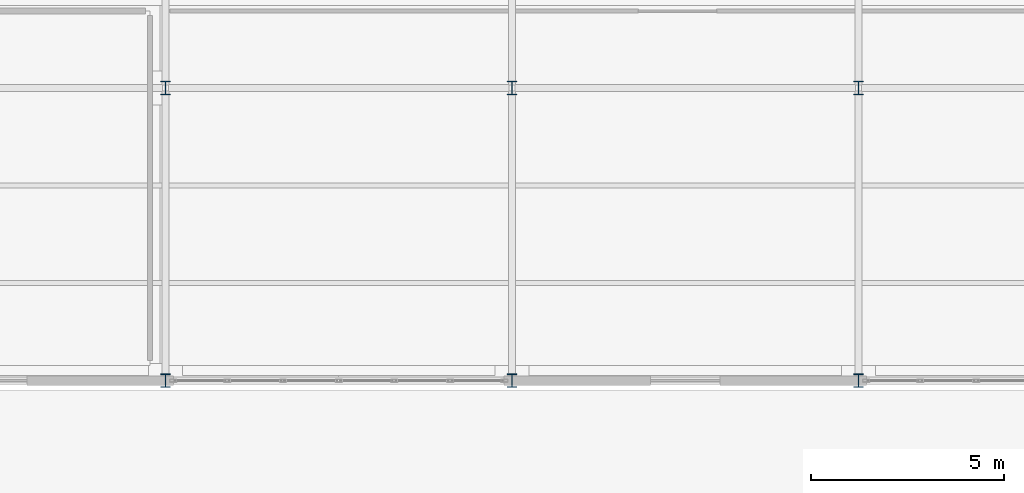
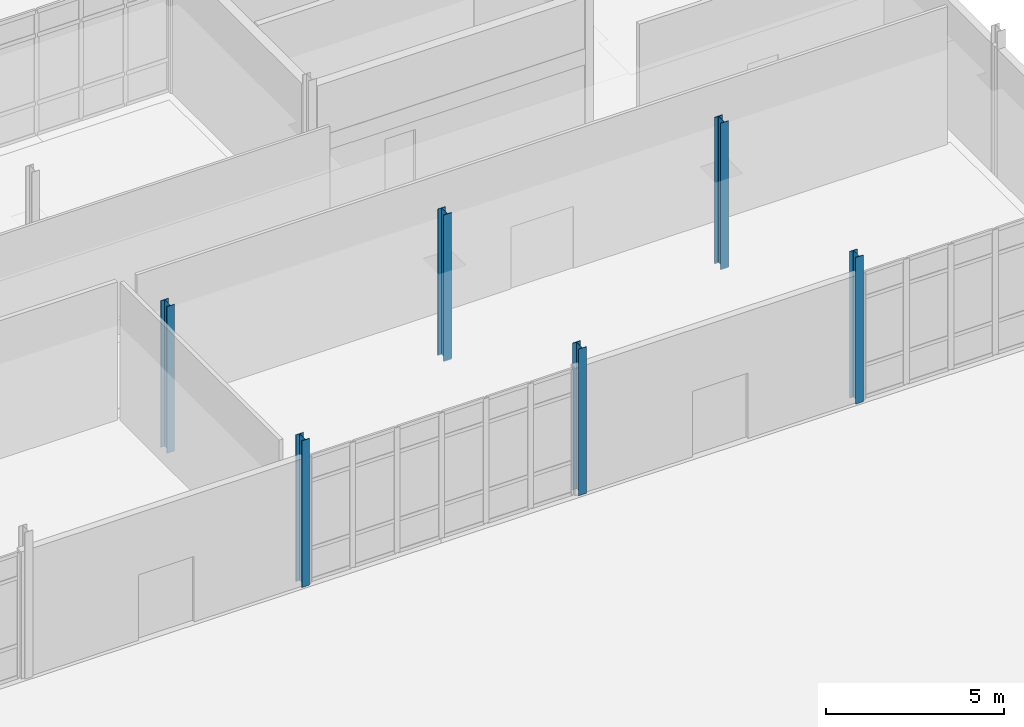
# One storey, part 20 of 161: 6 columns.
"""IFC4 building model written with IfcOpenShell, lengths in metres."""

import ifcopenshell
import ifcopenshell.guid

model = None  # the IFC model being written
_history = None  # IfcOwnerHistory: only IFC2X3 demands one
_inside = {}  # id of a spatial element -> (the spatial element, [elements in it])
_under = {}  # id of a project, library or spatial element -> (it, [spatial elements below it])
_declared = {}  # id of a project -> (the project, [libraries it declares])
_typed = {}  # id of a type object -> (the type object, [elements of that type])
_made_of = {}  # id of a material, layer set ... -> (it, [elements and type objects made of it])


def new_model(schema):
    """Start an empty IFC model of exactly this schema.

    Asked for "IFC4X3", IfcOpenShell would pick the latest addendum, in which some entities
    have other attributes; the version numbers below select the first issue.
    IFC2X3 requires an IfcOwnerHistory on every rooted entity: one is made here for all.
    """
    global model, _history
    if schema == "IFC4X3":
        model = ifcopenshell.file(schema_version=(4, 3, 0, 0))
    else:
        model = ifcopenshell.file(schema=schema)
    _inside.clear()
    _under.clear()
    _declared.clear()
    _typed.clear()
    _made_of.clear()
    _history = None
    if model.schema == "IFC2X3":
        org = make("IfcOrganization", Name="unknown")
        user = make(
            "IfcPersonAndOrganization",
            ThePerson=make("IfcPerson", FamilyName="unknown"),
            TheOrganization=org,
        )
        app = make(
            "IfcApplication",
            ApplicationDeveloper=org,
            Version="unknown",
            ApplicationFullName="unknown",
            ApplicationIdentifier="unknown",
        )
        _history = make(
            "IfcOwnerHistory",
            OwningUser=user,
            OwningApplication=app,
            ChangeAction="ADDED",
            CreationDate=0,
        )
    return model


def make(cls, **values):
    """One entity of the class cls with the attributes given. An attribute that is None is left unset."""
    return model.create_entity(
        cls, **{name: value for name, value in values.items() if value is not None}
    )


def rooted(cls, **values):
    """An entity with a GlobalId (a new one), such as an element, a storey or a relation."""
    return make(cls, GlobalId=ifcopenshell.guid.new(), OwnerHistory=_history, **values)


def si_unit(unit_type, name, prefix=None):
    """IfcSIUnit, for example si_unit("LENGTHUNIT", "METRE", prefix="MILLI")."""
    return make("IfcSIUnit", UnitType=unit_type, Prefix=prefix, Name=name)


def assignment(units):
    """IfcUnitAssignment: the units of a project."""
    return None if units is None else make("IfcUnitAssignment", Units=units)


def point(xyz):
    """IfcCartesianPoint."""
    return None if xyz is None else make("IfcCartesianPoint", Coordinates=xyz)


def direction(xyz):
    """IfcDirection."""
    return None if xyz is None else make("IfcDirection", DirectionRatios=xyz)


def frame(location, z_axis=None, x_axis=None):
    """IfcAxis2Placement3D, a coordinate frame: its origin and axes. An axis left out is left unset."""
    return make(
        "IfcAxis2Placement3D",
        Location=point(location),
        Axis=direction(z_axis),
        RefDirection=direction(x_axis),
    )


def frame_2d(location, x_axis=None):
    """IfcAxis2Placement2D, a coordinate frame in the plane: its origin and x axis."""
    return make(
        "IfcAxis2Placement2D", Location=point(location), RefDirection=direction(x_axis)
    )


def origin():
    """The frame at (0, 0, 0) with its axes left unset."""
    return frame((0.0, 0.0, 0.0))


def origin_2d():
    """The frame at (0, 0) in the plane with its x axis left unset."""
    return frame_2d((0.0, 0.0))


def place(relative_to, where):
    """IfcLocalPlacement: puts the frame where relative to a parent placement (None: the world)."""
    return make(
        "IfcLocalPlacement", PlacementRelTo=relative_to, RelativePlacement=where
    )


def context(
    kind, dimensions, precision=None, world=None, true_north=None, identifier=None
):
    """IfcGeometricRepresentationContext, for example the 3D "Model" context."""
    return make(
        "IfcGeometricRepresentationContext",
        ContextIdentifier=identifier,
        ContextType=kind,
        CoordinateSpaceDimension=dimensions,
        Precision=precision,
        WorldCoordinateSystem=world,
        TrueNorth=true_north,
    )


def subcontext(parent, identifier, kind, view, scale=None):
    """IfcGeometricRepresentationSubContext, for example "Body" below "Model"."""
    return make(
        "IfcGeometricRepresentationSubContext",
        ContextIdentifier=identifier,
        ContextType=kind,
        ParentContext=parent,
        TargetScale=scale,
        TargetView=view,
    )


def project(units=None, contexts=None):
    """IfcProject with its units and contexts."""
    return rooted(
        "IfcProject",
        Name="project",
        RepresentationContexts=contexts,
        UnitsInContext=assignment(units),
    )


def spatial(cls, under=None, at=None, **own):
    """A site, building, storey or space (cls), placed at a placement, below another one or the project."""
    s = rooted(cls, ObjectPlacement=at, **own)
    if under is not None:
        _under.setdefault(under.id(), (under, []))[1].append(s)
    return s


def profile(cls, at=None, kind="AREA", **sizes):
    """A parametric profile (cls). Its sizes go by their IFC names, for example OverallWidth=200.0."""
    return make(cls, ProfileType=kind, Position=at, **sizes)


def i_section(**sizes):
    """IfcIShapeProfileDef."""
    return profile("IfcIShapeProfileDef", **sizes)


def extrude(swept, where, along, depth):
    """IfcExtrudedAreaSolid: the profile swept, set in the frame where, extruded along a direction by depth."""
    return make(
        "IfcExtrudedAreaSolid",
        SweptArea=swept,
        Position=where,
        ExtrudedDirection=direction(along),
        Depth=depth,
    )


def shape(context_of_items, identifier, shape_type, items):
    """IfcShapeRepresentation: the items that make up one representation, for example the "Body"."""
    return make(
        "IfcShapeRepresentation",
        ContextOfItems=context_of_items,
        RepresentationIdentifier=identifier,
        RepresentationType=shape_type,
        Items=items,
    )


def material(Name=None, Category=None):
    """IfcMaterial."""
    return make("IfcMaterial", Name=Name, Category=Category)


def material_profile(
    of_material, cross_section, Name=None, Category=None, Priority=None
):
    """IfcMaterialProfile: a cross section and its material."""
    return make(
        "IfcMaterialProfile",
        Name=Name,
        Material=of_material,
        Profile=cross_section,
        Priority=Priority,
        Category=Category,
    )


def profile_set(profiles, Name=None, composite=None):
    """IfcMaterialProfileSet."""
    return make(
        "IfcMaterialProfileSet",
        Name=Name,
        MaterialProfiles=profiles,
        CompositeProfile=composite,
    )


def made_of(thing, what):
    """Note that an element or type object is made of a material, layer set ...; save() writes the relation."""
    if what is not None:
        _made_of.setdefault(what.id(), (what, []))[1].append(thing)
    return thing


def type_object(cls, material=None, **own):
    """A type object (cls), such as IfcWallType, which elements share."""
    return made_of(rooted(cls, **own), material)


def element(
    cls,
    number,
    at=None,
    inside=None,
    cuts=None,
    type_object=None,
    material=None,
    context=None,
    identifier="Body",
    shape_type=None,
    held_by="IfcProductDefinitionShape",
    body=None,
    shapes=None,
    **own,
):
    """One element of the class cls, such as IfcWall. Its Tag is "e" and its number.

    at: its placement. inside: the storey or other place that contains it. cuts: it is an
    opening in that element (IfcRelVoidsElement). A single representation is given by context,
    identifier, shape_type and body (its items); several are given by shapes. held_by: the class
    of the entity that holds the representations. save() writes the other relations.
    """
    e = rooted(cls, Tag="e%d" % number, ObjectPlacement=at, **own)
    if body is not None:
        shapes = [shape(context, identifier, shape_type, body)]
    if shapes is not None:
        e.Representation = make(held_by, Representations=shapes)
    if inside is not None:
        _inside.setdefault(inside.id(), (inside, []))[1].append(e)
    if cuts is not None:
        rooted(
            "IfcRelVoidsElement", RelatingBuildingElement=cuts, RelatedOpeningElement=e
        )
    if type_object is not None:
        _typed.setdefault(type_object.id(), (type_object, []))[1].append(e)
    return made_of(e, material)


def aggregate(whole, parts):
    """IfcRelAggregates: a whole, such as a stair, and the parts it consists of."""
    return rooted("IfcRelAggregates", RelatingObject=whole, RelatedObjects=parts)


def save(model, path):
    """Write the relations noted so far, then the file.

    IfcRelAggregates (storeys below a building ...), IfcRelContainedInSpatialStructure (elements
    in a storey), IfcRelDefinesByType, IfcRelAssociatesMaterial and IfcRelDeclares: one each for
    every whole, place, type object, material and project.
    """
    for whole, parts in _under.values():
        aggregate(whole, parts)
    for where, things in _inside.values():
        rooted(
            "IfcRelContainedInSpatialStructure",
            RelatedElements=things,
            RelatingStructure=where,
        )
    for kind, things in _typed.values():
        rooted("IfcRelDefinesByType", RelatedObjects=things, RelatingType=kind)
    for what, things in _made_of.values():
        rooted("IfcRelAssociatesMaterial", RelatedObjects=things, RelatingMaterial=what)
    for by, libraries in _declared.values():
        rooted("IfcRelDeclares", RelatingContext=by, RelatedDefinitions=libraries)
    model.write(path)


model = new_model("IFC4")

# Units and contexts
model_context = context("Model", 3, precision=1e-05, world=origin(), true_north=direction((0.0, 1.0)))
body_context = subcontext(model_context, "Body", "Model", "MODEL_VIEW")
ifc_project = project(units=[si_unit("LENGTHUNIT", "METRE"), si_unit("AREAUNIT", "SQUARE_METRE"), si_unit("VOLUMEUNIT", "CUBIC_METRE"), si_unit("PLANEANGLEUNIT", "RADIAN"), si_unit("MASSUNIT", "GRAM", prefix="KILO")], contexts=[model_context])

# Site, building, storey
site_placement = place(None, origin())
site = spatial("IfcSite", under=ifc_project, at=site_placement, CompositionType="ELEMENT")
building_placement = place(site_placement, origin())
building = spatial("IfcBuilding", under=site, at=building_placement, Name="Caisbarro Railhouse Central Library", CompositionType="ELEMENT")
storey_placement = place(building_placement, origin())
storey = spatial("IfcBuildingStorey", under=building, at=storey_placement, Name="L00", CompositionType="ELEMENT", Elevation=0.0)

# Columns
ifc_material = material(Name="Steel ASTM A572 Grade 50", Category="steel")
ifc_material_profile = material_profile(ifc_material, i_section(OverallWidth=0.25390625, OverallDepth=0.35302734375, WebThickness=0.009521484375, FlangeThickness=0.016357421875, FilletRadius=0.014892578125, at=origin_2d()), Name="W360X91.0")
ifc_profile_set = profile_set([ifc_material_profile], Name="Steel ASTM A572 Grade 50")
column_type = type_object("IfcColumnType", Name="COL-C05", PredefinedType="COLUMN", material=ifc_profile_set)
for number, where, z_axis, x_axis, name in (
    (1, (72.0, 83.60009765625, 0.0), (0.0, 0.0, 1.0), (1.0, 0.0, 0.0), "C05 column L00 (72.0,83.6)"),
    (2, (72.0, 91.199951171875, 0.0), (0.0, 0.0, 1.0), (1.0, 0.0, 0.0), "C05 column L00 (72.0,91.2)"),
    (3, (81.0, 83.60009765625, 0.0), (0.0, 0.0, 1.0), (1.0, 0.0, 0.0), "C05 column L00 (81.0,83.6)"),
    (4, (81.0, 91.199951171875, 0.0), (0.0, 0.0, 1.0), (1.0, 0.0, 0.0), "C05 column L00 (81.0,91.2)"),
    (5, (90.0, 83.60009765625, 0.0), (0.0, 0.0, 1.0), (1.0, 0.0, 0.0), "C05 column L00 (90.0,83.6)"),
    (6, (90.0, 91.199951171875, 0.0), (0.0, 0.0, 1.0), (1.0, 0.0, 0.0), "C05 column L00 (90.0,91.2)"),
):
    element("IfcColumn", number, at=place(storey_placement, frame(where, z_axis=z_axis, x_axis=x_axis)), inside=storey, type_object=column_type, Name=name, PredefinedType="COLUMN", context=body_context, shape_type="SweptSolid", body=[
        extrude(i_section(OverallWidth=0.25390625, OverallDepth=0.35302734375, WebThickness=0.009521484375, FlangeThickness=0.016357421875, FilletRadius=0.014892578125, at=origin_2d()), origin(), (0.0, 0.0, 1.0), 5.0400390625),
    ])

save(model, "model.ifc")
